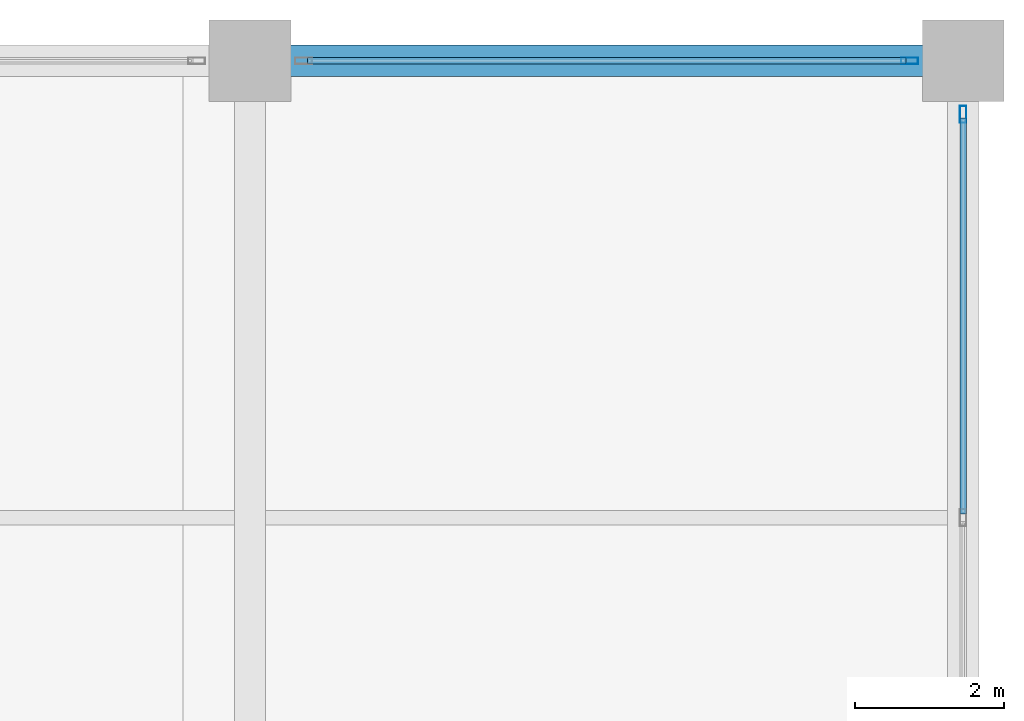
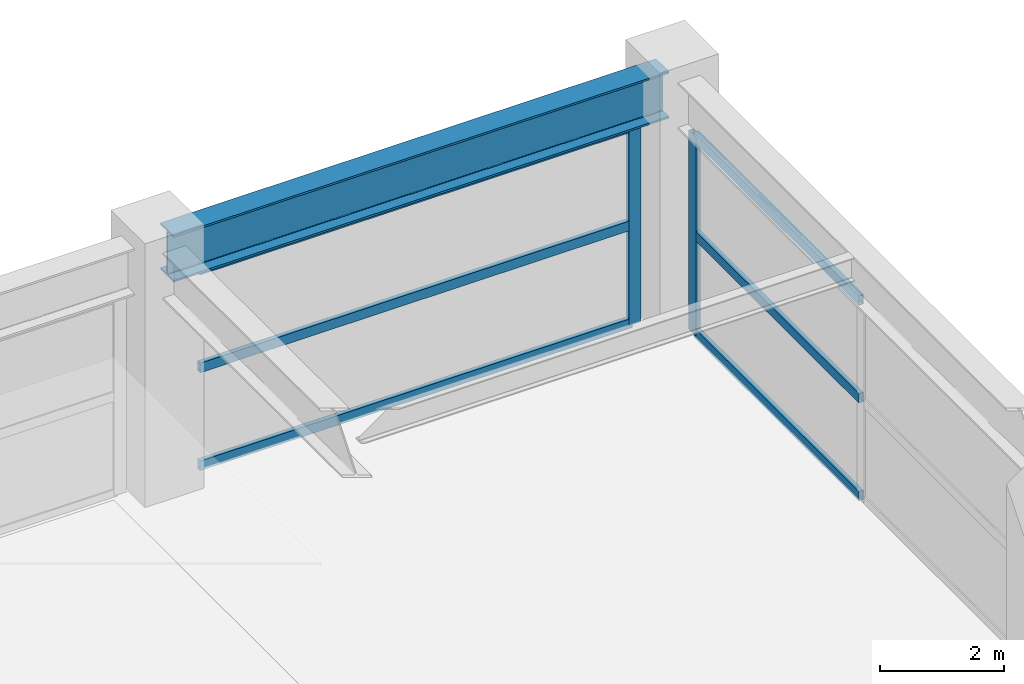
# One storey, part 33 of 43: 8 members, 1 beam, 2 elements without a shape of their own.
"""IFC4 building model written with IfcOpenShell, lengths in metres."""

import ifcopenshell
import ifcopenshell.guid

model = None  # the IFC model being written
_history = None  # IfcOwnerHistory: only IFC2X3 demands one
_inside = {}  # id of a spatial element -> (the spatial element, [elements in it])
_under = {}  # id of a project, library or spatial element -> (it, [spatial elements below it])
_declared = {}  # id of a project -> (the project, [libraries it declares])
_typed = {}  # id of a type object -> (the type object, [elements of that type])
_made_of = {}  # id of a material, layer set ... -> (it, [elements and type objects made of it])


def new_model(schema):
    """Start an empty IFC model of exactly this schema.

    Asked for "IFC4X3", IfcOpenShell would pick the latest addendum, in which some entities
    have other attributes; the version numbers below select the first issue.
    IFC2X3 requires an IfcOwnerHistory on every rooted entity: one is made here for all.
    """
    global model, _history
    if schema == "IFC4X3":
        model = ifcopenshell.file(schema_version=(4, 3, 0, 0))
    else:
        model = ifcopenshell.file(schema=schema)
    _inside.clear()
    _under.clear()
    _declared.clear()
    _typed.clear()
    _made_of.clear()
    _history = None
    if model.schema == "IFC2X3":
        org = make("IfcOrganization", Name="unknown")
        user = make(
            "IfcPersonAndOrganization",
            ThePerson=make("IfcPerson", FamilyName="unknown"),
            TheOrganization=org,
        )
        app = make(
            "IfcApplication",
            ApplicationDeveloper=org,
            Version="unknown",
            ApplicationFullName="unknown",
            ApplicationIdentifier="unknown",
        )
        _history = make(
            "IfcOwnerHistory",
            OwningUser=user,
            OwningApplication=app,
            ChangeAction="ADDED",
            CreationDate=0,
        )
    return model


def make(cls, **values):
    """One entity of the class cls with the attributes given. An attribute that is None is left unset."""
    return model.create_entity(
        cls, **{name: value for name, value in values.items() if value is not None}
    )


def rooted(cls, **values):
    """An entity with a GlobalId (a new one), such as an element, a storey or a relation."""
    return make(cls, GlobalId=ifcopenshell.guid.new(), OwnerHistory=_history, **values)


def si_unit(unit_type, name, prefix=None):
    """IfcSIUnit, for example si_unit("LENGTHUNIT", "METRE", prefix="MILLI")."""
    return make("IfcSIUnit", UnitType=unit_type, Prefix=prefix, Name=name)


def assignment(units):
    """IfcUnitAssignment: the units of a project."""
    return None if units is None else make("IfcUnitAssignment", Units=units)


def point(xyz):
    """IfcCartesianPoint."""
    return None if xyz is None else make("IfcCartesianPoint", Coordinates=xyz)


def direction(xyz):
    """IfcDirection."""
    return None if xyz is None else make("IfcDirection", DirectionRatios=xyz)


def frame(location, z_axis=None, x_axis=None):
    """IfcAxis2Placement3D, a coordinate frame: its origin and axes. An axis left out is left unset."""
    return make(
        "IfcAxis2Placement3D",
        Location=point(location),
        Axis=direction(z_axis),
        RefDirection=direction(x_axis),
    )


def frame_2d(location, x_axis=None):
    """IfcAxis2Placement2D, a coordinate frame in the plane: its origin and x axis."""
    return make(
        "IfcAxis2Placement2D", Location=point(location), RefDirection=direction(x_axis)
    )


def origin():
    """The frame at (0, 0, 0) with its axes left unset."""
    return frame((0.0, 0.0, 0.0))


def origin_2d():
    """The frame at (0, 0) in the plane with its x axis left unset."""
    return frame_2d((0.0, 0.0))


def place(relative_to, where):
    """IfcLocalPlacement: puts the frame where relative to a parent placement (None: the world)."""
    return make(
        "IfcLocalPlacement", PlacementRelTo=relative_to, RelativePlacement=where
    )


def context(
    kind, dimensions, precision=None, world=None, true_north=None, identifier=None
):
    """IfcGeometricRepresentationContext, for example the 3D "Model" context."""
    return make(
        "IfcGeometricRepresentationContext",
        ContextIdentifier=identifier,
        ContextType=kind,
        CoordinateSpaceDimension=dimensions,
        Precision=precision,
        WorldCoordinateSystem=world,
        TrueNorth=true_north,
    )


def subcontext(parent, identifier, kind, view, scale=None):
    """IfcGeometricRepresentationSubContext, for example "Body" below "Model"."""
    return make(
        "IfcGeometricRepresentationSubContext",
        ContextIdentifier=identifier,
        ContextType=kind,
        ParentContext=parent,
        TargetScale=scale,
        TargetView=view,
    )


def project(units=None, contexts=None):
    """IfcProject with its units and contexts."""
    return rooted(
        "IfcProject",
        Name="project",
        RepresentationContexts=contexts,
        UnitsInContext=assignment(units),
    )


def spatial(cls, under=None, at=None, **own):
    """A site, building, storey or space (cls), placed at a placement, below another one or the project."""
    s = rooted(cls, ObjectPlacement=at, **own)
    if under is not None:
        _under.setdefault(under.id(), (under, []))[1].append(s)
    return s


def profile(cls, at=None, kind="AREA", **sizes):
    """A parametric profile (cls). Its sizes go by their IFC names, for example OverallWidth=200.0."""
    return make(cls, ProfileType=kind, Position=at, **sizes)


def hollow_rectangle(**sizes):
    """IfcRectangleHollowProfileDef."""
    return profile("IfcRectangleHollowProfileDef", **sizes)


def i_section(**sizes):
    """IfcIShapeProfileDef."""
    return profile("IfcIShapeProfileDef", **sizes)


def extrude(swept, where, along, depth):
    """IfcExtrudedAreaSolid: the profile swept, set in the frame where, extruded along a direction by depth."""
    return make(
        "IfcExtrudedAreaSolid",
        SweptArea=swept,
        Position=where,
        ExtrudedDirection=direction(along),
        Depth=depth,
    )


def shape(context_of_items, identifier, shape_type, items):
    """IfcShapeRepresentation: the items that make up one representation, for example the "Body"."""
    return make(
        "IfcShapeRepresentation",
        ContextOfItems=context_of_items,
        RepresentationIdentifier=identifier,
        RepresentationType=shape_type,
        Items=items,
    )


def material(Name=None, Category=None):
    """IfcMaterial."""
    return make("IfcMaterial", Name=Name, Category=Category)


def material_profile(
    of_material, cross_section, Name=None, Category=None, Priority=None
):
    """IfcMaterialProfile: a cross section and its material."""
    return make(
        "IfcMaterialProfile",
        Name=Name,
        Material=of_material,
        Profile=cross_section,
        Priority=Priority,
        Category=Category,
    )


def profile_set(profiles, Name=None, composite=None):
    """IfcMaterialProfileSet."""
    return make(
        "IfcMaterialProfileSet",
        Name=Name,
        MaterialProfiles=profiles,
        CompositeProfile=composite,
    )


def made_of(thing, what):
    """Note that an element or type object is made of a material, layer set ...; save() writes the relation."""
    if what is not None:
        _made_of.setdefault(what.id(), (what, []))[1].append(thing)
    return thing


def type_object(cls, material=None, **own):
    """A type object (cls), such as IfcWallType, which elements share."""
    return made_of(rooted(cls, **own), material)


def element(
    cls,
    number,
    at=None,
    inside=None,
    cuts=None,
    type_object=None,
    material=None,
    context=None,
    identifier="Body",
    shape_type=None,
    held_by="IfcProductDefinitionShape",
    body=None,
    shapes=None,
    **own,
):
    """One element of the class cls, such as IfcWall. Its Tag is "e" and its number.

    at: its placement. inside: the storey or other place that contains it. cuts: it is an
    opening in that element (IfcRelVoidsElement). A single representation is given by context,
    identifier, shape_type and body (its items); several are given by shapes. held_by: the class
    of the entity that holds the representations. save() writes the other relations.
    """
    e = rooted(cls, Tag="e%d" % number, ObjectPlacement=at, **own)
    if body is not None:
        shapes = [shape(context, identifier, shape_type, body)]
    if shapes is not None:
        e.Representation = make(held_by, Representations=shapes)
    if inside is not None:
        _inside.setdefault(inside.id(), (inside, []))[1].append(e)
    if cuts is not None:
        rooted(
            "IfcRelVoidsElement", RelatingBuildingElement=cuts, RelatedOpeningElement=e
        )
    if type_object is not None:
        _typed.setdefault(type_object.id(), (type_object, []))[1].append(e)
    return made_of(e, material)


def aggregate(whole, parts):
    """IfcRelAggregates: a whole, such as a stair, and the parts it consists of."""
    return rooted("IfcRelAggregates", RelatingObject=whole, RelatedObjects=parts)


def save(model, path):
    """Write the relations noted so far, then the file.

    IfcRelAggregates (storeys below a building ...), IfcRelContainedInSpatialStructure (elements
    in a storey), IfcRelDefinesByType, IfcRelAssociatesMaterial and IfcRelDeclares: one each for
    every whole, place, type object, material and project.
    """
    for whole, parts in _under.values():
        aggregate(whole, parts)
    for where, things in _inside.values():
        rooted(
            "IfcRelContainedInSpatialStructure",
            RelatedElements=things,
            RelatingStructure=where,
        )
    for kind, things in _typed.values():
        rooted("IfcRelDefinesByType", RelatedObjects=things, RelatingType=kind)
    for what, things in _made_of.values():
        rooted("IfcRelAssociatesMaterial", RelatedObjects=things, RelatingMaterial=what)
    for by, libraries in _declared.values():
        rooted("IfcRelDeclares", RelatingContext=by, RelatedDefinitions=libraries)
    model.write(path)


model = new_model("IFC4")

# Units and contexts
model_context = context("Model", 3, precision=1e-05, world=origin(), true_north=direction((0.0, 1.0)))
body_context = subcontext(model_context, "Body", "Model", "MODEL_VIEW")
ifc_project = project(units=[si_unit("LENGTHUNIT", "METRE"), si_unit("AREAUNIT", "SQUARE_METRE"), si_unit("VOLUMEUNIT", "CUBIC_METRE"), si_unit("PLANEANGLEUNIT", "RADIAN"), si_unit("MASSUNIT", "GRAM", prefix="KILO")], contexts=[model_context])

# Site, building, storey
site_placement = place(None, origin())
site = spatial("IfcSite", under=ifc_project, at=site_placement, CompositionType="ELEMENT")
building_placement = place(site_placement, origin())
building = spatial("IfcBuilding", under=site, at=building_placement, Name="Kovane Verandah Tower", CompositionType="ELEMENT")
storey_placement = place(building_placement, frame((0.0, 0.0, 11.199951171875)))
storey = spatial("IfcBuildingStorey", under=building, at=storey_placement, Name="L02", CompositionType="ELEMENT", Elevation=11.199951171875)

# Beam
ifc_material_1 = material(Name="Steel S460", Category="steel")
ifc_material_profile_1 = material_profile(ifc_material_1, i_section(OverallWidth=0.42041015625, OverallDepth=0.9208984375, WebThickness=0.021484375, FlangeThickness=0.03662109375, FilletRadius=0.024169921875, at=origin_2d()), Name="UB914x419x388")
ifc_profile_set_1 = profile_set([ifc_material_profile_1], Name="Steel S460")
beam_type = type_object("IfcBeamType", Name="BM-UB914x388", PredefinedType="BEAM", material=ifc_profile_set_1)
beam_placement = place(storey_placement, frame((72.580078125, 56.5, 4.439453125), z_axis=(1.0, 0.0, 0.0), x_axis=(0.0, 1.0, 0.0)))
element("IfcBeam", 1, at=beam_placement, inside=storey, type_object=beam_type, Name="L02 Podium Grid Girder X23", PredefinedType="BEAM", context=body_context, shape_type="SweptSolid", body=[
    extrude(i_section(OverallWidth=0.42041015625, OverallDepth=0.9208984375, WebThickness=0.021484375, FlangeThickness=0.03662109375, FilletRadius=0.024169921875, at=origin_2d()), origin(), (0.0, 0.0, 1.0), 9.239990234375),
])

# Curtain wall, member
ifc_material_2 = material(Name="Champagne Anodised Aluminium Frame with Low-E Clear Laminated Glass", Category="aluminium")
curtain_wall_type = type_object("IfcCurtainWallType", Name="CW-SYS-01-POD", PredefinedType="NOTDEFINED", material=ifc_material_2)
curtain_wall_1_placement = place(storey_placement, origin())
curtain_wall_1 = element("IfcCurtainWall", 2, at=curtain_wall_1_placement, inside=storey, type_object=curtain_wall_type, Name="L02 North Podium Curtain Wall Bay 7", PredefinedType="NOTDEFINED")
ifc_material_3 = material(Name="Champagne Anodised Aluminium 6063-T6", Category="aluminium")
ifc_material_profile_2 = material_profile(ifc_material_3, hollow_rectangle(XDim=0.0849609375, YDim=0.22998046875, WallThickness=0.00390625, at=origin_2d()), Name="AL85x230x4")
ifc_profile_set_2 = profile_set([ifc_material_profile_2], Name="Champagne Anodised Aluminium 6063-T6")
member_type_1 = type_object("IfcMemberType", Name="CW-MUL-85x230", PredefinedType="MULLION", material=ifc_profile_set_2)
member_1_placement = place(storey_placement, frame((81.280029296875, 56.5, 0.02001953125), z_axis=(0.0, 0.0, 1.0), x_axis=(0.0, 1.0, 0.0)))
member_1 = element("IfcMember", 3, at=member_1_placement, type_object=member_type_1, Name="L02 North Podium Curtain Wall Bay 7 Mullion 1", PredefinedType="MULLION", context=body_context, shape_type="SweptSolid", body=[
    extrude(hollow_rectangle(XDim=0.0849609375, YDim=0.22998046875, WallThickness=0.00390625, at=origin_2d()), origin(), (0.0, 0.0, 1.0), 3.9189453125),
])

curtain_wall_2_placement = place(storey_placement, origin())
curtain_wall_2 = element("IfcCurtainWall", 4, at=curtain_wall_2_placement, inside=storey, type_object=curtain_wall_type, Name="L02 East Podium Curtain Wall Bay 5", PredefinedType="NOTDEFINED")
member_2_placement = place(storey_placement, frame((82.0, 55.780029296875, 0.02001953125), z_axis=(0.0, 0.0, 1.0), x_axis=(1.0, 0.0, 0.0)))
member_2 = element("IfcMember", 5, at=member_2_placement, type_object=member_type_1, Name="L02 East Podium Curtain Wall Bay 5 Mullion 3", PredefinedType="MULLION", context=body_context, shape_type="SweptSolid", body=[
    extrude(hollow_rectangle(XDim=0.0849609375, YDim=0.22998046875, WallThickness=0.00390625, at=origin_2d()), origin(), (0.0, 0.0, 1.0), 3.9189453125),
])

# Member
ifc_material_profile_3 = material_profile(ifc_material_3, hollow_rectangle(XDim=0.0849609375, YDim=0.18994140625, WallThickness=0.00390625, at=origin_2d()), Name="AL85x190x4")
ifc_profile_set_3 = profile_set([ifc_material_profile_3], Name="Champagne Anodised Aluminium 6063-T6")
member_type_2 = type_object("IfcMemberType", Name="CW-TRN-85x190", PredefinedType="USERDEFINED", material=ifc_profile_set_3)
member_3_placement = place(storey_placement, frame((81.22998046875, 56.5, 0.050048828125), z_axis=(-1.0, 0.0, 0.0), x_axis=(0.0, -1.0, 0.0)))
member_3 = element("IfcMember", 6, at=member_3_placement, type_object=member_type_2, Name="L02 North Podium Curtain Wall Bay 7 Transom TB Bay 1", ObjectType="TRANSOM", PredefinedType="USERDEFINED", context=body_context, shape_type="SweptSolid", body=[
    extrude(hollow_rectangle(XDim=0.0849609375, YDim=0.18994140625, WallThickness=0.00390625, at=origin_2d()), origin(), (0.0, 0.0, 1.0), 8.06005859375),
])

member_4_placement = place(storey_placement, frame((81.22998046875, 56.5, 1.9794921875), z_axis=(-1.0, 0.0, 0.0), x_axis=(0.0, -1.0, 0.0)))
member_4 = element("IfcMember", 7, at=member_4_placement, type_object=member_type_2, Name="L02 North Podium Curtain Wall Bay 7 Transom TM Bay 1", ObjectType="TRANSOM", PredefinedType="USERDEFINED", context=body_context, shape_type="SweptSolid", body=[
    extrude(hollow_rectangle(XDim=0.0849609375, YDim=0.18994140625, WallThickness=0.00390625, at=origin_2d()), origin(), (0.0, 0.0, 1.0), 8.06005859375),
])

member_5_placement = place(storey_placement, frame((81.22998046875, 56.5, 3.908935546875), z_axis=(-1.0, 0.0, 0.0), x_axis=(0.0, -1.0, 0.0)))
member_5 = element("IfcMember", 8, at=member_5_placement, type_object=member_type_2, Name="L02 North Podium Curtain Wall Bay 7 Transom TT Bay 1", ObjectType="TRANSOM", PredefinedType="USERDEFINED", context=body_context, shape_type="SweptSolid", body=[
    extrude(hollow_rectangle(XDim=0.0849609375, YDim=0.18994140625, WallThickness=0.00390625, at=origin_2d()), origin(), (0.0, 0.0, 1.0), 8.06005859375),
])

aggregate(curtain_wall_1, [member_1, member_3, member_4, member_5])

member_6_placement = place(storey_placement, frame((82.0, 50.39990234375, 0.050048828125), z_axis=(0.0, 1.0, 0.0), x_axis=(-1.0, 0.0, 0.0)))
member_6 = element("IfcMember", 9, at=member_6_placement, type_object=member_type_2, Name="L02 East Podium Curtain Wall Bay 5 Transom TB Bay 2", ObjectType="TRANSOM", PredefinedType="USERDEFINED", context=body_context, shape_type="SweptSolid", body=[
    extrude(hollow_rectangle(XDim=0.0849609375, YDim=0.18994140625, WallThickness=0.00390625, at=origin_2d()), origin(), (0.0, 0.0, 1.0), 5.330078125),
])

member_7_placement = place(storey_placement, frame((82.0, 50.39990234375, 1.9794921875), z_axis=(0.0, 1.0, 0.0), x_axis=(-1.0, 0.0, 0.0)))
member_7 = element("IfcMember", 10, at=member_7_placement, type_object=member_type_2, Name="L02 East Podium Curtain Wall Bay 5 Transom TM Bay 2", ObjectType="TRANSOM", PredefinedType="USERDEFINED", context=body_context, shape_type="SweptSolid", body=[
    extrude(hollow_rectangle(XDim=0.0849609375, YDim=0.18994140625, WallThickness=0.00390625, at=origin_2d()), origin(), (0.0, 0.0, 1.0), 5.330078125),
])

member_8_placement = place(storey_placement, frame((82.0, 50.39990234375, 3.908935546875), z_axis=(0.0, 1.0, 0.0), x_axis=(-1.0, 0.0, 0.0)))
member_8 = element("IfcMember", 11, at=member_8_placement, type_object=member_type_2, Name="L02 East Podium Curtain Wall Bay 5 Transom TT Bay 2", ObjectType="TRANSOM", PredefinedType="USERDEFINED", context=body_context, shape_type="SweptSolid", body=[
    extrude(hollow_rectangle(XDim=0.0849609375, YDim=0.18994140625, WallThickness=0.00390625, at=origin_2d()), origin(), (0.0, 0.0, 1.0), 5.330078125),
])

aggregate(curtain_wall_2, [member_2, member_6, member_7, member_8])

save(model, "model.ifc")
